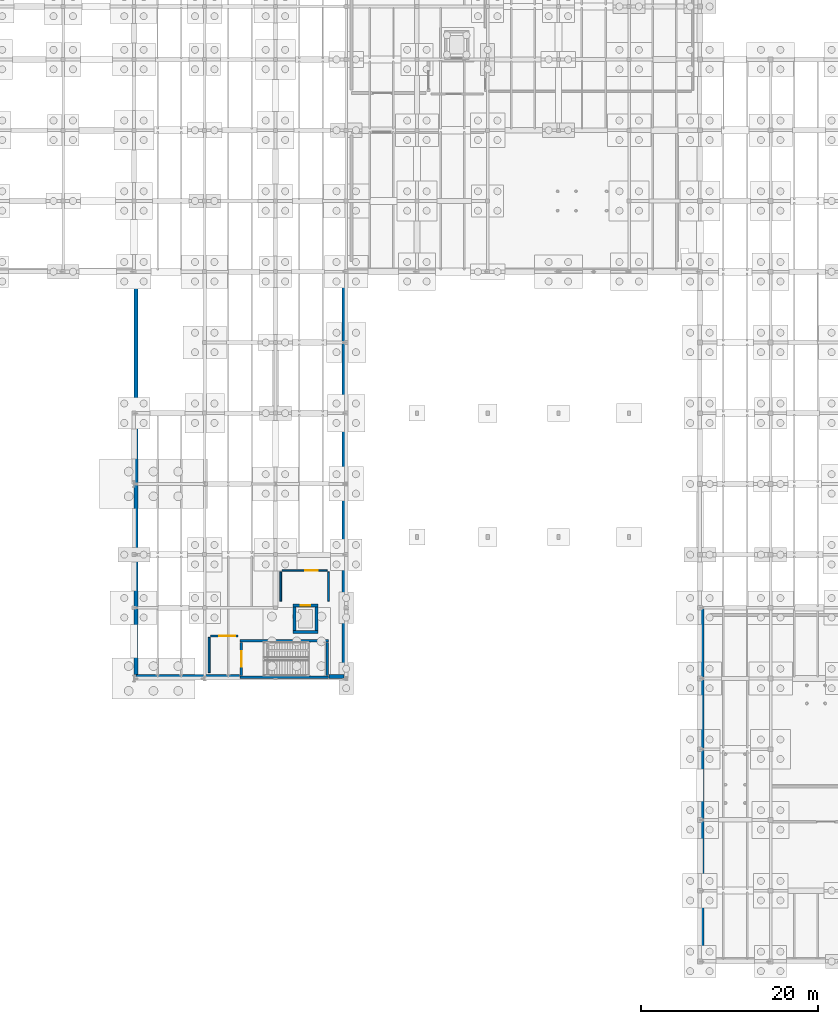
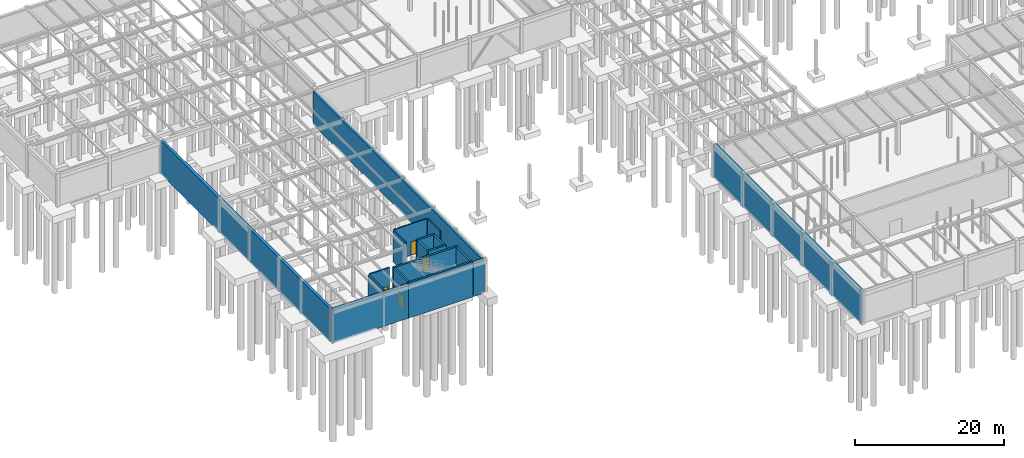
# One storey, part 53 of 71: 18 walls, 4 doors, 4 openings.
"""IFC4 building model written with IfcOpenShell, lengths in metres."""

from ifc_helpers import new_model, si_unit, direction, frame, frame_2d, origin, place, context, subcontext, project, spatial, rectangle, extrude, material, layer, layer_set, type_object, element, fill, save


model = new_model("IFC4")

# Units and contexts
model_context = context("Model", 3, precision=1e-05, world=origin(), true_north=direction((0.0, 1.0)))
body_context = subcontext(model_context, "Body", "Model", "MODEL_VIEW")
ifc_project = project(units=[si_unit("LENGTHUNIT", "METRE"), si_unit("AREAUNIT", "SQUARE_METRE"), si_unit("VOLUMEUNIT", "CUBIC_METRE"), si_unit("PLANEANGLEUNIT", "RADIAN"), si_unit("MASSUNIT", "GRAM", prefix="KILO")], contexts=[model_context])

# Site, building, storey
site_placement = place(None, origin())
site = spatial("IfcSite", under=ifc_project, at=site_placement, CompositionType="ELEMENT")
building_placement = place(site_placement, origin())
building = spatial("IfcBuilding", under=site, at=building_placement, Name="Sundkrona Museum", CompositionType="ELEMENT")
storey_placement = place(building_placement, frame((0.0, 0.0, -5.39990234375)))
storey = spatial("IfcBuildingStorey", under=building, at=storey_placement, Name="B1", CompositionType="ELEMENT", Elevation=-5.39990234375)

# Walls
ifc_material_1 = material(Name="Concrete C40/50", Category="concrete")
ifc_layer_1 = layer(ifc_material_1, 0.300048828125)
ifc_layer_set_1 = layer_set([ifc_layer_1], Name="Concrete C40/50")
wall_type_1 = type_object("IfcWallType", Name="W-CORE-300", PredefinedType="SHEAR", material=ifc_layer_set_1)
for number, where, z_axis, x_axis, name in (
    (1, (28.0, 32.14990234375, -0.400146484375), (0.0, 0.0, 1.0), (1.0, 0.0, 0.0), "B1 ST-4 Core Shear Wall South"),
    (2, (28.0, 36.25, -0.400146484375), (0.0, 0.0, 1.0), (1.0, 0.0, 0.0), "B1 ST-4 Core Shear Wall North"),
):
    element("IfcWall", number, at=place(storey_placement, frame(where, z_axis=z_axis, x_axis=x_axis)), inside=storey, type_object=wall_type_1, Name=name, PredefinedType="SHEAR", context=body_context, shape_type="SweptSolid", body=[
        extrude(rectangle(XDim=10.0, YDim=0.300048828125, at=frame_2d((5.0, 0.0))), origin(), (0.0, 0.0, 1.0), 5.800048828125),
    ])

# Wall, opening, door
wall_1_placement = place(storey_placement, frame((28.14990234375, 32.31005859375, -0.400146484375), z_axis=(0.0, 0.0, 1.0), x_axis=(0.0, 1.0, 0.0)))
wall_1 = element("IfcWall", 3, at=wall_1_placement, inside=storey, type_object=wall_type_1, Name="B1 ST-4 Core Shear Wall West", PredefinedType="SHEAR", context=body_context, shape_type="SweptSolid", body=[
    extrude(rectangle(XDim=3.780029296875, YDim=0.300048828125, at=frame_2d((1.89013671875, 0.0))), origin(), (0.0, 0.0, 1.0), 5.800048828125),
])
opening_1_placement = place(wall_1_placement, frame((0.989990234375, 0.0, 0.39990234375)))
opening_1 = element("IfcOpeningElement", 4, at=opening_1_placement, cuts=wall_1, Name="Opening D-FD60", PredefinedType="OPENING", context=body_context, shape_type="SweptSolid", body=[
    extrude(rectangle(XDim=1.800048828125, YDim=2.199951171875, at=frame_2d((0.89990234375, 1.10009765625))), frame((0.0, 0.159912109375, 0.0), z_axis=(0.0, -1.0, 0.0), x_axis=(1.0, 0.0, 0.0)), (0.0, 0.0, 1.0), 0.320068359375),
])
ifc_material_2 = material(Name="Steel S355J2 Fire Door Leaf", Category="steel")
door_type_1 = type_object("IfcDoorType", Name="D-FD60", OperationType="DOUBLE_DOOR_SINGLE_SWING", PredefinedType="DOOR", material=ifc_material_2)
door_1_placement = place(opening_1_placement, origin())
door_1 = element("IfcDoor", 5, at=door_1_placement, inside=storey, type_object=door_type_1, Name="B1 ST-4 Protected Escape Stair Door DR-ST-4-B1", OperationType="DOUBLE_DOOR_SINGLE_SWING", OverallHeight=2.199951171875, OverallWidth=1.800048828125, PredefinedType="DOOR", context=body_context, shape_type="SweptSolid", body=[
    extrude(rectangle(XDim=1.800048828125, YDim=2.199951171875, at=frame_2d((0.89990234375, 1.10009765625))), frame((0.0, 0.02490234375, 0.0), z_axis=(0.0, -1.0, 0.0), x_axis=(1.0, 0.0, 0.0)), (0.0, 0.0, 1.0), 0.050048828125),
])
fill(opening_1, door_1)

# Walls
wall_2_placement = place(storey_placement, frame((37.85009765625, 32.31005859375, -0.400146484375), z_axis=(0.0, 0.0, 1.0), x_axis=(0.0, 1.0, 0.0)))
element("IfcWall", 6, at=wall_2_placement, inside=storey, type_object=wall_type_1, Name="B1 ST-4 Core Shear Wall East", PredefinedType="SHEAR", context=body_context, shape_type="SweptSolid", body=[
    extrude(rectangle(XDim=3.780029296875, YDim=0.300048828125, at=frame_2d((1.89013671875, 0.0))), origin(), (0.0, 0.0, 1.0), 5.800048828125),
])
wall_3_placement = place(storey_placement, frame((34.0, 37.25, -0.400146484375), z_axis=(0.0, 0.0, 1.0), x_axis=(1.0, 0.0, 0.0)))
element("IfcWall", 7, at=wall_3_placement, inside=storey, type_object=wall_type_1, Name="B1 PL-4 Lift Shaft Wall South", PredefinedType="SHEAR", context=body_context, shape_type="SweptSolid", body=[
    extrude(rectangle(XDim=2.800048828125, YDim=0.300048828125, at=frame_2d((1.39990234375, 0.0))), origin(), (0.0, 0.0, 1.0), 5.800048828125),
])

# Wall, opening, door
wall_4_placement = place(storey_placement, frame((34.0, 40.25, -0.400146484375), z_axis=(0.0, 0.0, 1.0), x_axis=(1.0, 0.0, 0.0)))
wall_4 = element("IfcWall", 8, at=wall_4_placement, inside=storey, type_object=wall_type_1, Name="B1 PL-4 Lift Shaft Wall North", PredefinedType="SHEAR", context=body_context, shape_type="SweptSolid", body=[
    extrude(rectangle(XDim=2.800048828125, YDim=0.300048828125, at=frame_2d((1.39990234375, 0.0))), origin(), (0.0, 0.0, 1.0), 5.800048828125),
])
opening_2_placement = place(wall_4_placement, frame((0.85009765625, 0.0, 0.39990234375)))
opening_2 = element("IfcOpeningElement", 9, at=opening_2_placement, cuts=wall_4, Name="Opening LD-01", PredefinedType="OPENING", context=body_context, shape_type="SweptSolid", body=[
    extrude(rectangle(XDim=1.10009765625, YDim=2.14990234375, at=frame_2d((0.550048828125, 1.074951171875))), frame((0.0, 0.159912109375, 0.0), z_axis=(0.0, -1.0, 0.0), x_axis=(1.0, 0.0, 0.0)), (0.0, 0.0, 1.0), 0.320068359375),
])
ifc_material_3 = material(Name="Brushed Stainless Steel Lift Door", Category="steel")
door_type_2 = type_object("IfcDoorType", Name="LD-01", OperationType="SLIDING_TO_LEFT", PredefinedType="DOOR", material=ifc_material_3)
door_2_placement = place(opening_2_placement, origin())
door_2 = element("IfcDoor", 10, at=door_2_placement, inside=storey, type_object=door_type_2, Name="B1 West Pavilion Passenger Lift PL-4 Landing Door DR-LIFT-PL-4-B1", OperationType="SLIDING_TO_LEFT", OverallHeight=2.14990234375, OverallWidth=1.10009765625, PredefinedType="DOOR", context=body_context, shape_type="SweptSolid", body=[
    extrude(rectangle(XDim=1.10009765625, YDim=2.14990234375, at=frame_2d((0.550048828125, 1.074951171875))), frame((0.0, 0.02490234375, 0.0), z_axis=(0.0, -1.0, 0.0), x_axis=(1.0, 0.0, 0.0)), (0.0, 0.0, 1.0), 0.050048828125),
])
fill(opening_2, door_2)

# Walls
for number, where, z_axis, x_axis, name in (
    (11, (34.14990234375, 37.409912109375, -0.400146484375), (0.0, 0.0, 1.0), (0.0, 1.0, 0.0), "B1 PL-4 Lift Shaft Wall West"),
    (12, (36.64990234375, 37.409912109375, -0.400146484375), (0.0, 0.0, 1.0), (0.0, 1.0, 0.0), "B1 PL-4 Lift Shaft Wall East"),
):
    element("IfcWall", number, at=place(storey_placement, frame(where, z_axis=z_axis, x_axis=x_axis)), inside=storey, type_object=wall_type_1, Name=name, PredefinedType="SHEAR", context=body_context, shape_type="SweptSolid", body=[
        extrude(rectangle(XDim=2.68017578125, YDim=0.300048828125, at=frame_2d((1.340087890625, 0.0))), origin(), (0.0, 0.0, 1.0), 5.800048828125),
    ])

# Wall, opening, door
ifc_material_4 = material(Name="Autoclaved Aerated Masonry 225 mm", Category="masonry")
ifc_layer_2 = layer(ifc_material_4, 0.22509765625)
ifc_layer_set_2 = layer_set([ifc_layer_2], Name="Autoclaved Aerated Masonry 225 mm")
wall_type_2 = type_object("IfcWallType", Name="W-FF-225", PredefinedType="SOLIDWALL", material=ifc_layer_set_2)
wall_5_placement = place(storey_placement, frame((24.64990234375, 36.800048828125, 0.0), z_axis=(0.0, 0.0, 1.0), x_axis=(1.0, 0.0, 0.0)))
wall_5 = element("IfcWall", 13, at=wall_5_placement, inside=storey, type_object=wall_type_2, Name="B1 Core 4 Stair Lobby Enclosure Wall N", PredefinedType="SOLIDWALL", context=body_context, shape_type="SweptSolid", body=[
    extrude(rectangle(XDim=3.10009765625, YDim=0.22509765625, at=frame_2d((1.550048828125, 0.0))), origin(), (0.0, 0.0, 1.0), 5.159912109375),
])
opening_3_placement = place(wall_5_placement, frame((1.0, 0.0, 0.0)))
opening_3 = element("IfcOpeningElement", 14, at=opening_3_placement, cuts=wall_5, Name="Opening D-FD60", PredefinedType="OPENING", context=body_context, shape_type="SweptSolid", body=[
    extrude(rectangle(XDim=1.800048828125, YDim=2.199951171875, at=frame_2d((0.89990234375, 1.10009765625))), frame((0.0, 0.12255859375, 0.0), z_axis=(0.0, -1.0, 0.0), x_axis=(1.0, 0.0, 0.0)), (0.0, 0.0, 1.0), 0.2451171875),
])
door_3_placement = place(opening_3_placement, origin())
door_3 = element("IfcDoor", 15, at=door_3_placement, inside=storey, type_object=door_type_1, Name="B1 Interior Door DR-INT-B1-0024", OperationType="DOUBLE_DOOR_SINGLE_SWING", OverallHeight=2.199951171875, OverallWidth=1.800048828125, PredefinedType="DOOR", context=body_context, shape_type="SweptSolid", body=[
    extrude(rectangle(XDim=1.800048828125, YDim=2.199951171875, at=frame_2d((0.89990234375, 1.10009765625))), frame((0.0, 0.02490234375, 0.0), z_axis=(0.0, -1.0, 0.0), x_axis=(1.0, 0.0, 0.0)), (0.0, 0.0, 1.0), 0.050048828125),
])
fill(opening_3, door_3)

# Wall
wall_6_placement = place(storey_placement, frame((24.5, 32.64990234375, 0.0), z_axis=(0.0, 0.0, 1.0), x_axis=(0.0, 1.0, 0.0)))
element("IfcWall", 16, at=wall_6_placement, inside=storey, type_object=wall_type_2, Name="B1 Core 4 Stair Lobby Enclosure Wall W", PredefinedType="SOLIDWALL", context=body_context, shape_type="SweptSolid", body=[
    extrude(rectangle(XDim=4.0, YDim=0.22509765625, at=frame_2d((2.0, 0.0))), origin(), (0.0, 0.0, 1.0), 5.159912109375),
])

# Wall, opening, door
ifc_material_5 = material(Name="Fire-rated Gypsum Partition Board 175 mm", Category="other")
ifc_layer_3 = layer(ifc_material_5, 0.175048828125)
ifc_layer_set_3 = layer_set([ifc_layer_3], Name="Fire-rated Gypsum Partition Board 175 mm")
wall_type_3 = type_object("IfcWallType", Name="W-PT-175", PredefinedType="PARTITIONING", material=ifc_layer_set_3)
wall_7_placement = place(storey_placement, frame((32.75, 44.199951171875, 0.0), z_axis=(0.0, 0.0, 1.0), x_axis=(1.0, 0.0, 0.0)))
wall_7 = element("IfcWall", 17, at=wall_7_placement, inside=storey, type_object=wall_type_3, Name="B1 West Pavilion Lift Lobby Enclosure Wall N", PredefinedType="PARTITIONING", context=body_context, shape_type="SweptSolid", body=[
    extrude(rectangle(XDim=5.10009765625, YDim=0.175048828125, at=frame_2d((2.550048828125, 0.0))), origin(), (0.0, 0.0, 1.0), 5.159912109375),
])
opening_4_placement = place(wall_7_placement, frame((2.625, 0.0, 0.0)))
opening_4 = element("IfcOpeningElement", 18, at=opening_4_placement, cuts=wall_7, Name="Opening D-CMP-140", PredefinedType="OPENING", context=body_context, shape_type="SweptSolid", body=[
    extrude(rectangle(XDim=1.39990234375, YDim=2.199951171875, at=frame_2d((0.699951171875, 1.10009765625))), frame((0.0, 0.097412109375, 0.0), z_axis=(0.0, -1.0, 0.0), x_axis=(1.0, 0.0, 0.0)), (0.0, 0.0, 1.0), 0.195068359375),
])
ifc_material_6 = material(Name="Oak-veneered Fire Door", Category="other")
door_type_3 = type_object("IfcDoorType", Name="D-CMP-140", OperationType="DOUBLE_DOOR_SINGLE_SWING", PredefinedType="DOOR", material=ifc_material_6)
door_4_placement = place(opening_4_placement, origin())
door_4 = element("IfcDoor", 19, at=door_4_placement, inside=storey, type_object=door_type_3, Name="B1 Interior Door DR-INT-B1-0026", OperationType="DOUBLE_DOOR_SINGLE_SWING", OverallHeight=2.199951171875, OverallWidth=1.39990234375, PredefinedType="DOOR", context=body_context, shape_type="SweptSolid", body=[
    extrude(rectangle(XDim=1.39990234375, YDim=2.199951171875, at=frame_2d((0.699951171875, 1.10009765625))), frame((0.0, 0.02490234375, 0.0), z_axis=(0.0, -1.0, 0.0), x_axis=(1.0, 0.0, 0.0)), (0.0, 0.0, 1.0), 0.050048828125),
])
fill(opening_4, door_4)

# Walls
for number, where, z_axis, x_axis, name in (
    (20, (32.60009765625, 40.75, 0.0), (0.0, 0.0, 1.0), (0.0, 1.0, 0.0), "B1 West Pavilion Lift Lobby Enclosure Wall W"),
    (21, (38.0, 40.75, 0.0), (0.0, 0.0, 1.0), (0.0, 1.0, 0.0), "B1 West Pavilion Lift Lobby Enclosure Wall E"),
):
    element("IfcWall", number, at=place(storey_placement, frame(where, z_axis=z_axis, x_axis=x_axis)), inside=storey, type_object=wall_type_3, Name=name, PredefinedType="PARTITIONING", context=body_context, shape_type="SweptSolid", body=[
        extrude(rectangle(XDim=3.300048828125, YDim=0.175048828125, at=frame_2d((1.64990234375, 0.0))), origin(), (0.0, 0.0, 1.0), 5.159912109375),
    ])
ifc_layer_4 = layer(ifc_material_1, 0.449951171875)
ifc_layer_set_4 = layer_set([ifc_layer_4], Name="Concrete C40/50")
wall_type_4 = type_object("IfcWallType", Name="W-RET-450", PredefinedType="USERDEFINED", material=ifc_layer_set_4)
wall_8_placement = place(storey_placement, frame((16.22509765625, 32.449951171875, -0.400146484375), z_axis=(0.0, 0.0, 1.0), x_axis=(0.0, 1.0, 0.0)))
element("IfcWall", 22, at=wall_8_placement, inside=storey, type_object=wall_type_4, Name="Basement Retaining Wall 09", ObjectType="RETAININGWALL", PredefinedType="USERDEFINED", context=body_context, shape_type="SweptSolid", body=[
    extrude(rectangle(XDim=45.550048828125, YDim=0.449951171875, at=frame_2d((22.77490234375, 0.0))), origin(), (0.0, 0.0, 1.0), 5.5),
])
wall_9_placement = place(storey_placement, frame((16.22509765625, 32.22509765625, -0.400146484375), z_axis=(0.0, 0.0, 1.0), x_axis=(1.0, 0.0, 0.0)))
element("IfcWall", 23, at=wall_9_placement, inside=storey, type_object=wall_type_4, Name="Basement Retaining Wall 10", ObjectType="RETAININGWALL", PredefinedType="USERDEFINED", context=body_context, shape_type="SweptSolid", body=[
    extrude(rectangle(XDim=11.71484375, YDim=0.449951171875, at=frame_2d((5.857421875, 0.0))), origin(), (0.0, 0.0, 1.0), 5.5),
])
wall_10_placement = place(storey_placement, frame((38.06005859375, 32.22509765625, -0.400146484375), z_axis=(0.0, 0.0, 1.0), x_axis=(1.0, 0.0, 0.0)))
element("IfcWall", 24, at=wall_10_placement, inside=storey, type_object=wall_type_4, Name="Basement Retaining Wall 11", ObjectType="RETAININGWALL", PredefinedType="USERDEFINED", context=body_context, shape_type="SweptSolid", body=[
    extrude(rectangle(XDim=1.71484375, YDim=0.449951171875, at=frame_2d((0.857421875, 0.0))), origin(), (0.0, 0.0, 1.0), 5.5),
])
wall_11_placement = place(storey_placement, frame((39.77490234375, 32.449951171875, -0.400146484375), z_axis=(0.0, 0.0, 1.0), x_axis=(0.0, 1.0, 0.0)))
element("IfcWall", 25, at=wall_11_placement, inside=storey, type_object=wall_type_4, Name="Basement Retaining Wall 12", ObjectType="RETAININGWALL", PredefinedType="USERDEFINED", context=body_context, shape_type="SweptSolid", body=[
    extrude(rectangle(XDim=45.324951171875, YDim=0.449951171875, at=frame_2d((22.66259765625, 0.0))), origin(), (0.0, 0.0, 1.0), 5.5),
])
wall_12_placement = place(storey_placement, frame((80.22509765625, 0.449951171875, -0.400146484375), z_axis=(0.0, 0.0, 1.0), x_axis=(0.0, 1.0, 0.0)))
element("IfcWall", 26, at=wall_12_placement, inside=storey, type_object=wall_type_4, Name="Basement Retaining Wall 14", ObjectType="RETAININGWALL", PredefinedType="USERDEFINED", context=body_context, shape_type="SweptSolid", body=[
    extrude(rectangle(XDim=39.550048828125, YDim=0.449951171875, at=frame_2d((19.77490234375, 0.0))), origin(), (0.0, 0.0, 1.0), 5.5),
])

save(model, "model.ifc")
